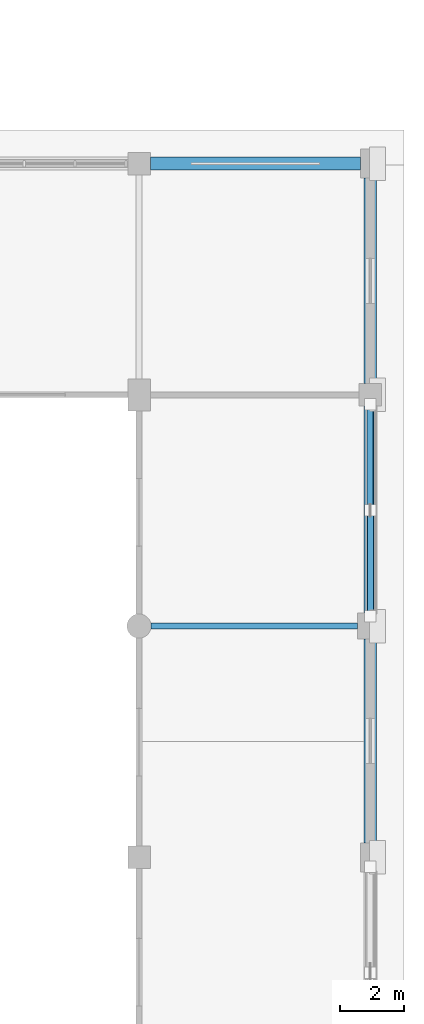
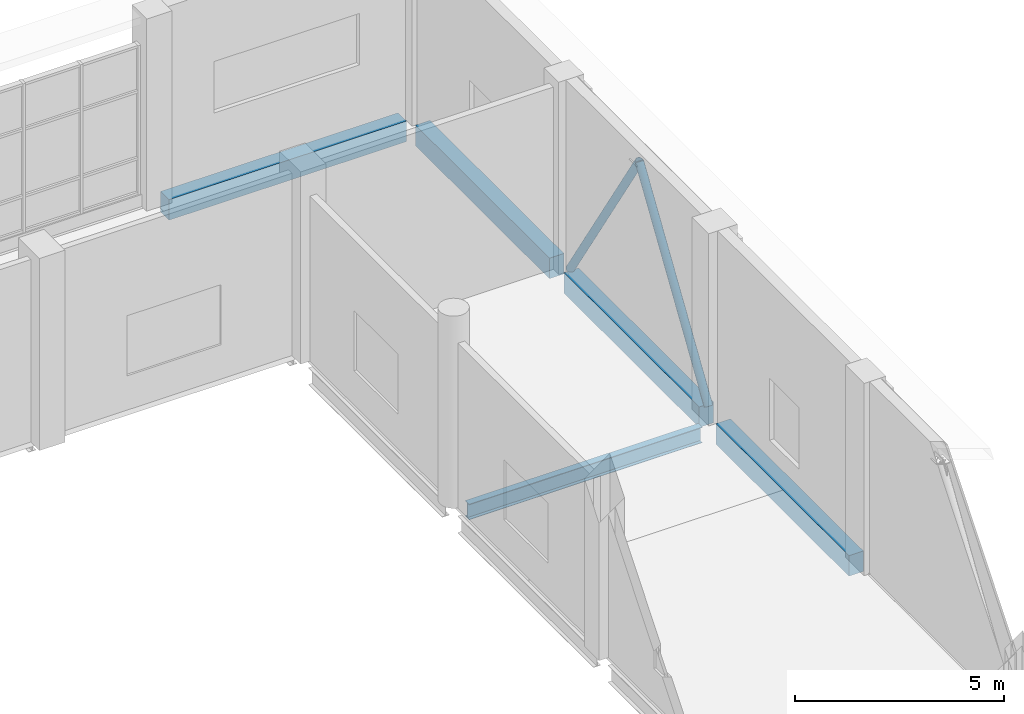
# One storey, part 34 of 80: 5 beams, 2 members.
"""IFC4 building model written with IfcOpenShell, lengths in metres."""

import ifcopenshell
import ifcopenshell.guid

model = None  # the IFC model being written
_history = None  # IfcOwnerHistory: only IFC2X3 demands one
_inside = {}  # id of a spatial element -> (the spatial element, [elements in it])
_under = {}  # id of a project, library or spatial element -> (it, [spatial elements below it])
_declared = {}  # id of a project -> (the project, [libraries it declares])
_typed = {}  # id of a type object -> (the type object, [elements of that type])
_made_of = {}  # id of a material, layer set ... -> (it, [elements and type objects made of it])


def new_model(schema):
    """Start an empty IFC model of exactly this schema.

    Asked for "IFC4X3", IfcOpenShell would pick the latest addendum, in which some entities
    have other attributes; the version numbers below select the first issue.
    IFC2X3 requires an IfcOwnerHistory on every rooted entity: one is made here for all.
    """
    global model, _history
    if schema == "IFC4X3":
        model = ifcopenshell.file(schema_version=(4, 3, 0, 0))
    else:
        model = ifcopenshell.file(schema=schema)
    _inside.clear()
    _under.clear()
    _declared.clear()
    _typed.clear()
    _made_of.clear()
    _history = None
    if model.schema == "IFC2X3":
        org = make("IfcOrganization", Name="unknown")
        user = make(
            "IfcPersonAndOrganization",
            ThePerson=make("IfcPerson", FamilyName="unknown"),
            TheOrganization=org,
        )
        app = make(
            "IfcApplication",
            ApplicationDeveloper=org,
            Version="unknown",
            ApplicationFullName="unknown",
            ApplicationIdentifier="unknown",
        )
        _history = make(
            "IfcOwnerHistory",
            OwningUser=user,
            OwningApplication=app,
            ChangeAction="ADDED",
            CreationDate=0,
        )
    return model


def make(cls, **values):
    """One entity of the class cls with the attributes given. An attribute that is None is left unset."""
    return model.create_entity(
        cls, **{name: value for name, value in values.items() if value is not None}
    )


def rooted(cls, **values):
    """An entity with a GlobalId (a new one), such as an element, a storey or a relation."""
    return make(cls, GlobalId=ifcopenshell.guid.new(), OwnerHistory=_history, **values)


def si_unit(unit_type, name, prefix=None):
    """IfcSIUnit, for example si_unit("LENGTHUNIT", "METRE", prefix="MILLI")."""
    return make("IfcSIUnit", UnitType=unit_type, Prefix=prefix, Name=name)


def assignment(units):
    """IfcUnitAssignment: the units of a project."""
    return None if units is None else make("IfcUnitAssignment", Units=units)


def point(xyz):
    """IfcCartesianPoint."""
    return None if xyz is None else make("IfcCartesianPoint", Coordinates=xyz)


def direction(xyz):
    """IfcDirection."""
    return None if xyz is None else make("IfcDirection", DirectionRatios=xyz)


def frame(location, z_axis=None, x_axis=None):
    """IfcAxis2Placement3D, a coordinate frame: its origin and axes. An axis left out is left unset."""
    return make(
        "IfcAxis2Placement3D",
        Location=point(location),
        Axis=direction(z_axis),
        RefDirection=direction(x_axis),
    )


def frame_2d(location, x_axis=None):
    """IfcAxis2Placement2D, a coordinate frame in the plane: its origin and x axis."""
    return make(
        "IfcAxis2Placement2D", Location=point(location), RefDirection=direction(x_axis)
    )


def origin():
    """The frame at (0, 0, 0) with its axes left unset."""
    return frame((0.0, 0.0, 0.0))


def origin_2d():
    """The frame at (0, 0) in the plane with its x axis left unset."""
    return frame_2d((0.0, 0.0))


def place(relative_to, where):
    """IfcLocalPlacement: puts the frame where relative to a parent placement (None: the world)."""
    return make(
        "IfcLocalPlacement", PlacementRelTo=relative_to, RelativePlacement=where
    )


def context(
    kind, dimensions, precision=None, world=None, true_north=None, identifier=None
):
    """IfcGeometricRepresentationContext, for example the 3D "Model" context."""
    return make(
        "IfcGeometricRepresentationContext",
        ContextIdentifier=identifier,
        ContextType=kind,
        CoordinateSpaceDimension=dimensions,
        Precision=precision,
        WorldCoordinateSystem=world,
        TrueNorth=true_north,
    )


def subcontext(parent, identifier, kind, view, scale=None):
    """IfcGeometricRepresentationSubContext, for example "Body" below "Model"."""
    return make(
        "IfcGeometricRepresentationSubContext",
        ContextIdentifier=identifier,
        ContextType=kind,
        ParentContext=parent,
        TargetScale=scale,
        TargetView=view,
    )


def project(units=None, contexts=None):
    """IfcProject with its units and contexts."""
    return rooted(
        "IfcProject",
        Name="project",
        RepresentationContexts=contexts,
        UnitsInContext=assignment(units),
    )


def spatial(cls, under=None, at=None, **own):
    """A site, building, storey or space (cls), placed at a placement, below another one or the project."""
    s = rooted(cls, ObjectPlacement=at, **own)
    if under is not None:
        _under.setdefault(under.id(), (under, []))[1].append(s)
    return s


def profile(cls, at=None, kind="AREA", **sizes):
    """A parametric profile (cls). Its sizes go by their IFC names, for example OverallWidth=200.0."""
    return make(cls, ProfileType=kind, Position=at, **sizes)


def rectangle(**sizes):
    """IfcRectangleProfileDef."""
    return profile("IfcRectangleProfileDef", **sizes)


def hollow_circle(**sizes):
    """IfcCircleHollowProfileDef."""
    return profile("IfcCircleHollowProfileDef", **sizes)


def i_section(**sizes):
    """IfcIShapeProfileDef."""
    return profile("IfcIShapeProfileDef", **sizes)


def extrude(swept, where, along, depth):
    """IfcExtrudedAreaSolid: the profile swept, set in the frame where, extruded along a direction by depth."""
    return make(
        "IfcExtrudedAreaSolid",
        SweptArea=swept,
        Position=where,
        ExtrudedDirection=direction(along),
        Depth=depth,
    )


def shape(context_of_items, identifier, shape_type, items):
    """IfcShapeRepresentation: the items that make up one representation, for example the "Body"."""
    return make(
        "IfcShapeRepresentation",
        ContextOfItems=context_of_items,
        RepresentationIdentifier=identifier,
        RepresentationType=shape_type,
        Items=items,
    )


def material(Name=None, Category=None):
    """IfcMaterial."""
    return make("IfcMaterial", Name=Name, Category=Category)


def material_profile(
    of_material, cross_section, Name=None, Category=None, Priority=None
):
    """IfcMaterialProfile: a cross section and its material."""
    return make(
        "IfcMaterialProfile",
        Name=Name,
        Material=of_material,
        Profile=cross_section,
        Priority=Priority,
        Category=Category,
    )


def profile_set(profiles, Name=None, composite=None):
    """IfcMaterialProfileSet."""
    return make(
        "IfcMaterialProfileSet",
        Name=Name,
        MaterialProfiles=profiles,
        CompositeProfile=composite,
    )


def made_of(thing, what):
    """Note that an element or type object is made of a material, layer set ...; save() writes the relation."""
    if what is not None:
        _made_of.setdefault(what.id(), (what, []))[1].append(thing)
    return thing


def type_object(cls, material=None, **own):
    """A type object (cls), such as IfcWallType, which elements share."""
    return made_of(rooted(cls, **own), material)


def element(
    cls,
    number,
    at=None,
    inside=None,
    cuts=None,
    type_object=None,
    material=None,
    context=None,
    identifier="Body",
    shape_type=None,
    held_by="IfcProductDefinitionShape",
    body=None,
    shapes=None,
    **own,
):
    """One element of the class cls, such as IfcWall. Its Tag is "e" and its number.

    at: its placement. inside: the storey or other place that contains it. cuts: it is an
    opening in that element (IfcRelVoidsElement). A single representation is given by context,
    identifier, shape_type and body (its items); several are given by shapes. held_by: the class
    of the entity that holds the representations. save() writes the other relations.
    """
    e = rooted(cls, Tag="e%d" % number, ObjectPlacement=at, **own)
    if body is not None:
        shapes = [shape(context, identifier, shape_type, body)]
    if shapes is not None:
        e.Representation = make(held_by, Representations=shapes)
    if inside is not None:
        _inside.setdefault(inside.id(), (inside, []))[1].append(e)
    if cuts is not None:
        rooted(
            "IfcRelVoidsElement", RelatingBuildingElement=cuts, RelatedOpeningElement=e
        )
    if type_object is not None:
        _typed.setdefault(type_object.id(), (type_object, []))[1].append(e)
    return made_of(e, material)


def aggregate(whole, parts):
    """IfcRelAggregates: a whole, such as a stair, and the parts it consists of."""
    return rooted("IfcRelAggregates", RelatingObject=whole, RelatedObjects=parts)


def save(model, path):
    """Write the relations noted so far, then the file.

    IfcRelAggregates (storeys below a building ...), IfcRelContainedInSpatialStructure (elements
    in a storey), IfcRelDefinesByType, IfcRelAssociatesMaterial and IfcRelDeclares: one each for
    every whole, place, type object, material and project.
    """
    for whole, parts in _under.values():
        aggregate(whole, parts)
    for where, things in _inside.values():
        rooted(
            "IfcRelContainedInSpatialStructure",
            RelatedElements=things,
            RelatingStructure=where,
        )
    for kind, things in _typed.values():
        rooted("IfcRelDefinesByType", RelatedObjects=things, RelatingType=kind)
    for what, things in _made_of.values():
        rooted("IfcRelAssociatesMaterial", RelatedObjects=things, RelatingMaterial=what)
    for by, libraries in _declared.values():
        rooted("IfcRelDeclares", RelatingContext=by, RelatedDefinitions=libraries)
    model.write(path)


model = new_model("IFC4")

# Units and contexts
model_context = context("Model", 3, precision=1e-05, world=origin(), true_north=direction((0.0, 1.0)))
body_context = subcontext(model_context, "Body", "Model", "MODEL_VIEW")
ifc_project = project(units=[si_unit("LENGTHUNIT", "METRE"), si_unit("AREAUNIT", "SQUARE_METRE"), si_unit("VOLUMEUNIT", "CUBIC_METRE"), si_unit("PLANEANGLEUNIT", "RADIAN"), si_unit("MASSUNIT", "GRAM", prefix="KILO")], contexts=[model_context])

# Site, building, storey
site_placement = place(None, origin())
site = spatial("IfcSite", under=ifc_project, at=site_placement, CompositionType="ELEMENT")
building_placement = place(site_placement, origin())
building = spatial("IfcBuilding", under=site, at=building_placement, Name="Sardonyx Promenade Sports Hall", CompositionType="ELEMENT")
storey_placement = place(building_placement, frame((0.0, 0.0, 5.60009765625)))
storey = spatial("IfcBuildingStorey", under=building, at=storey_placement, Name="L01", CompositionType="ELEMENT", Elevation=5.60009765625)

# Beams
ifc_material_1 = material(Name="Steel S355JR", Category="steel")
ifc_material_profile_1 = material_profile(ifc_material_1, i_section(OverallWidth=0.18994140625, OverallDepth=0.453369140625, WebThickness=0.008544921875, FlangeThickness=0.0126953125, at=origin_2d()))
ifc_profile_set_1 = profile_set([ifc_material_profile_1], Name="Steel S355JR")
beam_type_1 = type_object("IfcBeamType", Name="Bm_Girder_UB457", PredefinedType="BEAM", material=ifc_profile_set_1)
beam_1_placement = place(storey_placement, frame((158.77490234375, 72.0, -0.44677734375), z_axis=(1.0, 0.0, 0.0), x_axis=(0.0, 1.0, 0.0)))
element("IfcBeam", 1, at=beam_1_placement, inside=storey, type_object=beam_type_1, Name="Beam SB01 L01 #279", PredefinedType="BEAM", context=body_context, shape_type="SweptSolid", body=[
    extrude(i_section(OverallWidth=0.18994140625, OverallDepth=0.453369140625, WebThickness=0.008544921875, FlangeThickness=0.0126953125, at=origin_2d()), origin(), (0.0, 0.0, 1.0), 6.425048828125),
])
ifc_material_2 = material(Name="Concrete C40/50", Category="concrete")
ifc_material_profile_2 = material_profile(ifc_material_2, rectangle(XDim=0.39990234375, YDim=0.60009765625, at=origin_2d()))
ifc_profile_set_2 = profile_set([ifc_material_profile_2], Name="Concrete C40/50")
beam_type_2 = type_object("IfcBeamType", Name="Bm_Spandrel_RC600", PredefinedType="SPANDREL", material=ifc_profile_set_2)
beam_2_placement = place(storey_placement, frame((158.75, 86.39990234375, -0.300048828125), z_axis=(1.0, 0.0, 0.0), x_axis=(0.0, 1.0, 0.0)))
element("IfcBeam", 2, at=beam_2_placement, inside=storey, type_object=beam_type_2, Name="Beam SPB1 L01 #287", PredefinedType="SPANDREL", context=body_context, shape_type="SweptSolid", body=[
    extrude(rectangle(XDim=0.39990234375, YDim=0.60009765625, at=origin_2d()), origin(), (0.0, 0.0, 1.0), 6.550048828125),
])
beam_3_placement = place(storey_placement, frame((165.60009765625, 65.25, -0.300048828125), z_axis=(0.0, 1.0, 0.0), x_axis=(-1.0, 0.0, 0.0)))
element("IfcBeam", 3, at=beam_3_placement, inside=storey, type_object=beam_type_2, Name="Beam SPB1 L01 #444", PredefinedType="SPANDREL", context=body_context, shape_type="SweptSolid", body=[
    extrude(rectangle(XDim=0.39990234375, YDim=0.60009765625, at=origin_2d()), origin(), (0.0, 0.0, 1.0), 6.35009765625),
])
beam_4_placement = place(storey_placement, frame((165.60009765625, 72.39990234375, -0.300048828125), z_axis=(0.0, 1.0, 0.0), x_axis=(-1.0, 0.0, 0.0)))
element("IfcBeam", 4, at=beam_4_placement, inside=storey, type_object=beam_type_2, Name="Beam SPB1 L01 #445", PredefinedType="SPANDREL", context=body_context, shape_type="SweptSolid", body=[
    extrude(rectangle(XDim=0.39990234375, YDim=0.60009765625, at=origin_2d()), origin(), (0.0, 0.0, 1.0), 6.4501953125),
])
beam_5_placement = place(storey_placement, frame((165.60009765625, 79.550048828125, -0.300048828125), z_axis=(0.0, 1.0, 0.0), x_axis=(-1.0, 0.0, 0.0)))
element("IfcBeam", 5, at=beam_5_placement, inside=storey, type_object=beam_type_2, Name="Beam SPB1 L01 #446", PredefinedType="SPANDREL", context=body_context, shape_type="SweptSolid", body=[
    extrude(rectangle(XDim=0.39990234375, YDim=0.60009765625, at=origin_2d()), origin(), (0.0, 0.0, 1.0), 6.39990234375),
])

# Members
ifc_material_3 = material(Name="Steel S355JR", Category="steel")
ifc_material_profile_3 = material_profile(ifc_material_3, hollow_circle(Radius=0.109619140625, WallThickness=0.010009765625, at=origin_2d()))
ifc_profile_set_3 = profile_set([ifc_material_profile_3], Name="Steel S355JR")
member_type = type_object("IfcMemberType", Name="Mbr_Brace_CHS219_Ext", PredefinedType="BRACE", material=ifc_profile_set_3)
for number, where, z_axis, x_axis, name in (
    (6, (165.60009765625, 72.300048828125, 0.02001953125), (0.0, 0.541020546305, 0.841009374785), (-1.0, 0.0, 0.0), "Chevron brace BR02 BF4 L01 leg 1"),
    (7, (165.60009765625, 78.89990234375, 0.02001953125), (0.0, -0.540992235695, 0.8410275863), (1.0, 0.0, 0.0), "Chevron brace BR02 BF4 L01 leg 2"),
):
    element("IfcMember", number, at=place(storey_placement, frame(where, z_axis=z_axis, x_axis=x_axis)), inside=storey, type_object=member_type, Name=name, PredefinedType="BRACE", context=body_context, shape_type="SweptSolid", body=[
        extrude(hollow_circle(Radius=0.109619140625, WallThickness=0.010009765625, at=origin_2d()), origin(), (0.0, 0.0, 1.0), 6.099609375),
    ])

save(model, "model.ifc")
